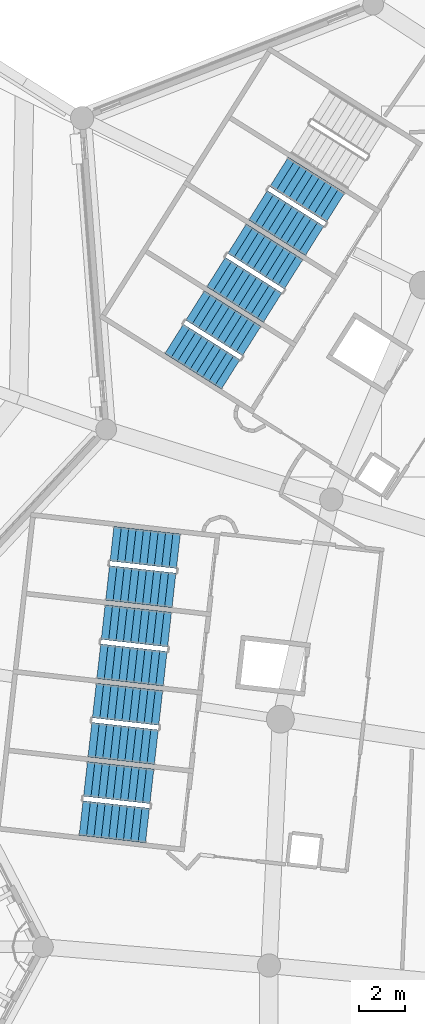
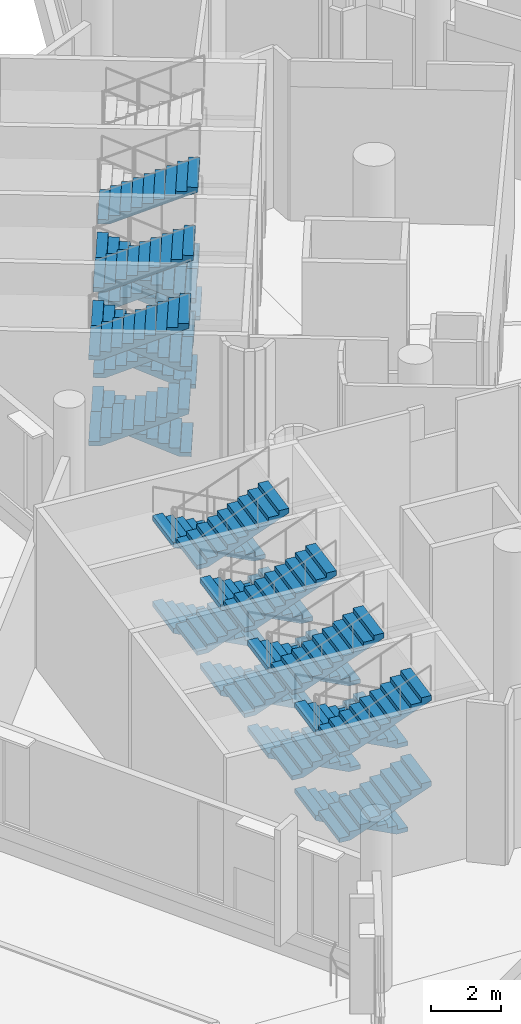
# One storey, part 93 of 173: 27 stair flights, 7 elements without a shape of their own.
"""IFC4 building model written with IfcOpenShell, lengths in metres."""

from ifc_helpers import new_model, si_unit, direction, frame, origin, place, context, subcontext, project, spatial, polyline, outline, extrude, material, type_object, element, aggregate, save


model = new_model("IFC4")

# Units and contexts
model_context = context("Model", 3, precision=1e-05, world=origin(), true_north=direction((0.0, 1.0)))
body_context = subcontext(model_context, "Body", "Model", "MODEL_VIEW")
ifc_project = project(units=[si_unit("LENGTHUNIT", "METRE"), si_unit("AREAUNIT", "SQUARE_METRE"), si_unit("VOLUMEUNIT", "CUBIC_METRE"), si_unit("PLANEANGLEUNIT", "RADIAN"), si_unit("MASSUNIT", "GRAM", prefix="KILO")], contexts=[model_context])

# Site, building, storey
site_placement = place(None, origin())
site = spatial("IfcSite", under=ifc_project, at=site_placement, CompositionType="ELEMENT")
building_placement = place(site_placement, origin())
building = spatial("IfcBuilding", under=site, at=building_placement, Name="Meseta Stadium", CompositionType="ELEMENT")
storey_placement = place(building_placement, frame((0.0, 0.0, 18.0)))
storey = spatial("IfcBuildingStorey", under=building, at=storey_placement, Name="L03", CompositionType="ELEMENT", Elevation=18.0)

# Stair, stair flights
ifc_material_1 = material(Name="Concrete C40/50", Category="concrete")
stair_type = type_object("IfcStairType", Name="Exit stair 4 flights 150 mm risers", PredefinedType="HALF_TURN_STAIR", material=ifc_material_1)
stair_1_placement = place(storey_placement, origin())
stair_1 = element("IfcStair", 1, at=stair_1_placement, inside=storey, type_object=stair_type, Name="ST54 L03", PredefinedType="HALF_TURN_STAIR")
ifc_material_2 = material(Name="Concrete C40/50", Category="concrete")
stair_flight_type = type_object("IfcStairFlightType", Name="Exit stair flight 150 mm risers, 4 per storey", PredefinedType="STRAIGHT", material=ifc_material_2)
stair_flight_1_placement = place(storey_placement, frame((-81.98388671875, 75.621826171875, 0.0), z_axis=(0.0, 0.0, 1.0), x_axis=(-0.846724200555, 0.532032074404, 0.0)))
stair_flight_1 = element("IfcStairFlight", 2, at=stair_flight_1_placement, type_object=stair_flight_type, Name="ST54 L03 flight 1", NumberOfRisers=10, NumberOfTreads=9, PredefinedType="STRAIGHT", RiserHeight=0.15, TreadLength=0.32, context=body_context, shape_type="SweptSolid", body=[
    extrude(outline(polyline([(0.0, 0.0), (0.0, 0.14990234375), (0.320068359375, 0.14990234375), (0.320068359375, 0.300048828125), (0.639892578125, 0.300048828125), (0.639892578125, 0.449951171875), (0.9599609375, 0.449951171875), (0.9599609375, 0.60009765625), (1.280029296875, 0.60009765625), (1.280029296875, 0.75), (1.60009765625, 0.75), (1.60009765625, 0.89990234375), (1.919921875, 0.89990234375), (1.919921875, 1.050048828125), (2.239990234375, 1.050048828125), (2.239990234375, 1.199951171875), (2.56005859375, 1.199951171875), (2.56005859375, 1.35009765625), (2.8798828125, 1.35009765625), (2.8798828125, 1.184326171875), (0.353271484375, 0.0), (0.0, 0.0)])), frame((0.0, 0.75, 0.0), z_axis=(0.0, -1.0, 0.0), x_axis=(1.0, 0.0, 0.0)), (0.0, 0.0, 1.0), 1.5),
])
stair_flight_2_placement = place(storey_placement, frame((-85.326904296875, 75.714599609375, 1.5), z_axis=(0.0, 0.0, 1.0), x_axis=(0.846724200555, -0.532032074404, 0.0)))
stair_flight_2 = element("IfcStairFlight", 3, at=stair_flight_2_placement, type_object=stair_flight_type, Name="ST54 L03 flight 2", NumberOfRisers=10, NumberOfTreads=9, PredefinedType="STRAIGHT", RiserHeight=0.15, TreadLength=0.32, context=body_context, shape_type="SweptSolid", body=[
    extrude(outline(polyline([(0.0, 0.0), (0.0, 0.14990234375), (0.320068359375, 0.14990234375), (0.320068359375, 0.300048828125), (0.639892578125, 0.300048828125), (0.639892578125, 0.449951171875), (0.9599609375, 0.449951171875), (0.9599609375, 0.60009765625), (1.280029296875, 0.60009765625), (1.280029296875, 0.75), (1.60009765625, 0.75), (1.60009765625, 0.89990234375), (1.919921875, 0.89990234375), (1.919921875, 1.050048828125), (2.239990234375, 1.050048828125), (2.239990234375, 1.199951171875), (2.56005859375, 1.199951171875), (2.56005859375, 1.35009765625), (2.8798828125, 1.35009765625), (2.8798828125, 1.184326171875), (0.353271484375, 0.0), (0.0, 0.0)])), frame((0.0, 0.75, 0.0), z_axis=(0.0, -1.0, 0.0), x_axis=(1.0, 0.0, 0.0)), (0.0, 0.0, 1.0), 1.5),
])
stair_flight_3_placement = place(storey_placement, frame((-85.326904296875, 75.714599609375, 4.5), z_axis=(0.0, 0.0, 1.0), x_axis=(0.846724200555, -0.532032074404, 0.0)))
stair_flight_3 = element("IfcStairFlight", 4, at=stair_flight_3_placement, type_object=stair_flight_type, Name="ST54 L03 flight 4", NumberOfRisers=10, NumberOfTreads=9, PredefinedType="STRAIGHT", RiserHeight=0.15, TreadLength=0.32, context=body_context, shape_type="SweptSolid", body=[
    extrude(outline(polyline([(0.0, 0.0), (0.0, 0.14990234375), (0.320068359375, 0.14990234375), (0.320068359375, 0.300048828125), (0.639892578125, 0.300048828125), (0.639892578125, 0.449951171875), (0.9599609375, 0.449951171875), (0.9599609375, 0.60009765625), (1.280029296875, 0.60009765625), (1.280029296875, 0.75), (1.60009765625, 0.75), (1.60009765625, 0.89990234375), (1.919921875, 0.89990234375), (1.919921875, 1.050048828125), (2.239990234375, 1.050048828125), (2.239990234375, 1.199951171875), (2.56005859375, 1.199951171875), (2.56005859375, 1.35009765625), (2.8798828125, 1.35009765625), (2.8798828125, 1.184326171875), (0.353271484375, 0.0), (0.0, 0.0)])), frame((0.0, 0.75, 0.0), z_axis=(0.0, -1.0, 0.0), x_axis=(1.0, 0.0, 0.0)), (0.0, 0.0, 1.0), 1.5),
])
aggregate(stair_1, [stair_flight_1, stair_flight_2, stair_flight_3])

stair_2_placement = place(storey_placement, origin())
stair_2 = element("IfcStair", 5, at=stair_2_placement, inside=storey, type_object=stair_type, Name="ST55 L03", PredefinedType="HALF_TURN_STAIR")
stair_flight_4_placement = place(storey_placement, frame((-83.792724609375, 72.742919921875, 0.0), z_axis=(0.0, 0.0, 1.0), x_axis=(-0.846724200555, 0.532032074404, 0.0)))
stair_flight_4 = element("IfcStairFlight", 6, at=stair_flight_4_placement, type_object=stair_flight_type, Name="ST55 L03 flight 1", NumberOfRisers=10, NumberOfTreads=9, PredefinedType="STRAIGHT", RiserHeight=0.15, TreadLength=0.32, context=body_context, shape_type="SweptSolid", body=[
    extrude(outline(polyline([(0.0, 0.0), (0.0, 0.14990234375), (0.320068359375, 0.14990234375), (0.320068359375, 0.300048828125), (0.639892578125, 0.300048828125), (0.639892578125, 0.449951171875), (0.9599609375, 0.449951171875), (0.9599609375, 0.60009765625), (1.280029296875, 0.60009765625), (1.280029296875, 0.75), (1.60009765625, 0.75), (1.60009765625, 0.89990234375), (1.919921875, 0.89990234375), (1.919921875, 1.050048828125), (2.239990234375, 1.050048828125), (2.239990234375, 1.199951171875), (2.56005859375, 1.199951171875), (2.56005859375, 1.35009765625), (2.8798828125, 1.35009765625), (2.8798828125, 1.184326171875), (0.353271484375, 0.0), (0.0, 0.0)])), frame((0.0, 0.75, 0.0), z_axis=(0.0, -1.0, 0.0), x_axis=(1.0, 0.0, 0.0)), (0.0, 0.0, 1.0), 1.5),
])
stair_flight_5_placement = place(storey_placement, frame((-87.1357421875, 72.835693359375, 1.5), z_axis=(0.0, 0.0, 1.0), x_axis=(0.846724200555, -0.532032074404, 0.0)))
stair_flight_5 = element("IfcStairFlight", 7, at=stair_flight_5_placement, type_object=stair_flight_type, Name="ST55 L03 flight 2", NumberOfRisers=10, NumberOfTreads=9, PredefinedType="STRAIGHT", RiserHeight=0.15, TreadLength=0.32, context=body_context, shape_type="SweptSolid", body=[
    extrude(outline(polyline([(0.0, 0.0), (0.0, 0.14990234375), (0.320068359375, 0.14990234375), (0.320068359375, 0.300048828125), (0.639892578125, 0.300048828125), (0.639892578125, 0.449951171875), (0.9599609375, 0.449951171875), (0.9599609375, 0.60009765625), (1.280029296875, 0.60009765625), (1.280029296875, 0.75), (1.60009765625, 0.75), (1.60009765625, 0.89990234375), (1.919921875, 0.89990234375), (1.919921875, 1.050048828125), (2.239990234375, 1.050048828125), (2.239990234375, 1.199951171875), (2.56005859375, 1.199951171875), (2.56005859375, 1.35009765625), (2.8798828125, 1.35009765625), (2.8798828125, 1.184326171875), (0.353271484375, 0.0), (0.0, 0.0)])), frame((0.0, 0.75, 0.0), z_axis=(0.0, -1.0, 0.0), x_axis=(1.0, 0.0, 0.0)), (0.0, 0.0, 1.0), 1.5),
])
stair_flight_6_placement = place(storey_placement, frame((-83.792724609375, 72.742919921875, 3.0), z_axis=(0.0, 0.0, 1.0), x_axis=(-0.846724200555, 0.532032074404, 0.0)))
stair_flight_6 = element("IfcStairFlight", 8, at=stair_flight_6_placement, type_object=stair_flight_type, Name="ST55 L03 flight 3", NumberOfRisers=10, NumberOfTreads=9, PredefinedType="STRAIGHT", RiserHeight=0.15, TreadLength=0.32, context=body_context, shape_type="SweptSolid", body=[
    extrude(outline(polyline([(0.0, 0.0), (0.0, 0.14990234375), (0.320068359375, 0.14990234375), (0.320068359375, 0.300048828125), (0.639892578125, 0.300048828125), (0.639892578125, 0.449951171875), (0.9599609375, 0.449951171875), (0.9599609375, 0.60009765625), (1.280029296875, 0.60009765625), (1.280029296875, 0.75), (1.60009765625, 0.75), (1.60009765625, 0.89990234375), (1.919921875, 0.89990234375), (1.919921875, 1.050048828125), (2.239990234375, 1.050048828125), (2.239990234375, 1.199951171875), (2.56005859375, 1.199951171875), (2.56005859375, 1.35009765625), (2.8798828125, 1.35009765625), (2.8798828125, 1.184326171875), (0.353271484375, 0.0), (0.0, 0.0)])), frame((0.0, 0.75, 0.0), z_axis=(0.0, -1.0, 0.0), x_axis=(1.0, 0.0, 0.0)), (0.0, 0.0, 1.0), 1.5),
])
stair_flight_7_placement = place(storey_placement, frame((-87.1357421875, 72.835693359375, 4.5), z_axis=(0.0, 0.0, 1.0), x_axis=(0.846724200555, -0.532032074404, 0.0)))
stair_flight_7 = element("IfcStairFlight", 9, at=stair_flight_7_placement, type_object=stair_flight_type, Name="ST55 L03 flight 4", NumberOfRisers=10, NumberOfTreads=9, PredefinedType="STRAIGHT", RiserHeight=0.15, TreadLength=0.32, context=body_context, shape_type="SweptSolid", body=[
    extrude(outline(polyline([(0.0, 0.0), (0.0, 0.14990234375), (0.320068359375, 0.14990234375), (0.320068359375, 0.300048828125), (0.639892578125, 0.300048828125), (0.639892578125, 0.449951171875), (0.9599609375, 0.449951171875), (0.9599609375, 0.60009765625), (1.280029296875, 0.60009765625), (1.280029296875, 0.75), (1.60009765625, 0.75), (1.60009765625, 0.89990234375), (1.919921875, 0.89990234375), (1.919921875, 1.050048828125), (2.239990234375, 1.050048828125), (2.239990234375, 1.199951171875), (2.56005859375, 1.199951171875), (2.56005859375, 1.35009765625), (2.8798828125, 1.35009765625), (2.8798828125, 1.184326171875), (0.353271484375, 0.0), (0.0, 0.0)])), frame((0.0, 0.75, 0.0), z_axis=(0.0, -1.0, 0.0), x_axis=(1.0, 0.0, 0.0)), (0.0, 0.0, 1.0), 1.5),
])
aggregate(stair_2, [stair_flight_4, stair_flight_5, stair_flight_6, stair_flight_7])

stair_3_placement = place(storey_placement, origin())
stair_3 = element("IfcStair", 10, at=stair_3_placement, inside=storey, type_object=stair_type, Name="ST56 L03", PredefinedType="HALF_TURN_STAIR")
stair_flight_8_placement = place(storey_placement, frame((-85.6015625, 69.864013671875, 0.0), z_axis=(0.0, 0.0, 1.0), x_axis=(-0.846724200555, 0.532032074404, 0.0)))
stair_flight_8 = element("IfcStairFlight", 11, at=stair_flight_8_placement, type_object=stair_flight_type, Name="ST56 L03 flight 1", NumberOfRisers=10, NumberOfTreads=9, PredefinedType="STRAIGHT", RiserHeight=0.15, TreadLength=0.32, context=body_context, shape_type="SweptSolid", body=[
    extrude(outline(polyline([(0.0, 0.0), (0.0, 0.14990234375), (0.320068359375, 0.14990234375), (0.320068359375, 0.300048828125), (0.639892578125, 0.300048828125), (0.639892578125, 0.449951171875), (0.9599609375, 0.449951171875), (0.9599609375, 0.60009765625), (1.280029296875, 0.60009765625), (1.280029296875, 0.75), (1.60009765625, 0.75), (1.60009765625, 0.89990234375), (1.919921875, 0.89990234375), (1.919921875, 1.050048828125), (2.239990234375, 1.050048828125), (2.239990234375, 1.199951171875), (2.56005859375, 1.199951171875), (2.56005859375, 1.35009765625), (2.8798828125, 1.35009765625), (2.8798828125, 1.184326171875), (0.353271484375, 0.0), (0.0, 0.0)])), frame((0.0, 0.75, 0.0), z_axis=(0.0, -1.0, 0.0), x_axis=(1.0, 0.0, 0.0)), (0.0, 0.0, 1.0), 1.5),
])
stair_flight_9_placement = place(storey_placement, frame((-88.944580078125, 69.956787109375, 1.5), z_axis=(0.0, 0.0, 1.0), x_axis=(0.846724200555, -0.532032074404, 0.0)))
stair_flight_9 = element("IfcStairFlight", 12, at=stair_flight_9_placement, type_object=stair_flight_type, Name="ST56 L03 flight 2", NumberOfRisers=10, NumberOfTreads=9, PredefinedType="STRAIGHT", RiserHeight=0.15, TreadLength=0.32, context=body_context, shape_type="SweptSolid", body=[
    extrude(outline(polyline([(0.0, 0.0), (0.0, 0.14990234375), (0.320068359375, 0.14990234375), (0.320068359375, 0.300048828125), (0.639892578125, 0.300048828125), (0.639892578125, 0.449951171875), (0.9599609375, 0.449951171875), (0.9599609375, 0.60009765625), (1.280029296875, 0.60009765625), (1.280029296875, 0.75), (1.60009765625, 0.75), (1.60009765625, 0.89990234375), (1.919921875, 0.89990234375), (1.919921875, 1.050048828125), (2.239990234375, 1.050048828125), (2.239990234375, 1.199951171875), (2.56005859375, 1.199951171875), (2.56005859375, 1.35009765625), (2.8798828125, 1.35009765625), (2.8798828125, 1.184326171875), (0.353271484375, 0.0), (0.0, 0.0)])), frame((0.0, 0.75, 0.0), z_axis=(0.0, -1.0, 0.0), x_axis=(1.0, 0.0, 0.0)), (0.0, 0.0, 1.0), 1.5),
])
stair_flight_10_placement = place(storey_placement, frame((-85.6015625, 69.864013671875, 3.0), z_axis=(0.0, 0.0, 1.0), x_axis=(-0.846724200555, 0.532032074404, 0.0)))
stair_flight_10 = element("IfcStairFlight", 13, at=stair_flight_10_placement, type_object=stair_flight_type, Name="ST56 L03 flight 3", NumberOfRisers=10, NumberOfTreads=9, PredefinedType="STRAIGHT", RiserHeight=0.15, TreadLength=0.32, context=body_context, shape_type="SweptSolid", body=[
    extrude(outline(polyline([(0.0, 0.0), (0.0, 0.14990234375), (0.320068359375, 0.14990234375), (0.320068359375, 0.300048828125), (0.639892578125, 0.300048828125), (0.639892578125, 0.449951171875), (0.9599609375, 0.449951171875), (0.9599609375, 0.60009765625), (1.280029296875, 0.60009765625), (1.280029296875, 0.75), (1.60009765625, 0.75), (1.60009765625, 0.89990234375), (1.919921875, 0.89990234375), (1.919921875, 1.050048828125), (2.239990234375, 1.050048828125), (2.239990234375, 1.199951171875), (2.56005859375, 1.199951171875), (2.56005859375, 1.35009765625), (2.8798828125, 1.35009765625), (2.8798828125, 1.184326171875), (0.353271484375, 0.0), (0.0, 0.0)])), frame((0.0, 0.75, 0.0), z_axis=(0.0, -1.0, 0.0), x_axis=(1.0, 0.0, 0.0)), (0.0, 0.0, 1.0), 1.5),
])
stair_flight_11_placement = place(storey_placement, frame((-88.944580078125, 69.956787109375, 4.5), z_axis=(0.0, 0.0, 1.0), x_axis=(0.846724200555, -0.532032074404, 0.0)))
stair_flight_11 = element("IfcStairFlight", 14, at=stair_flight_11_placement, type_object=stair_flight_type, Name="ST56 L03 flight 4", NumberOfRisers=10, NumberOfTreads=9, PredefinedType="STRAIGHT", RiserHeight=0.15, TreadLength=0.32, context=body_context, shape_type="SweptSolid", body=[
    extrude(outline(polyline([(0.0, 0.0), (0.0, 0.14990234375), (0.320068359375, 0.14990234375), (0.320068359375, 0.300048828125), (0.639892578125, 0.300048828125), (0.639892578125, 0.449951171875), (0.9599609375, 0.449951171875), (0.9599609375, 0.60009765625), (1.280029296875, 0.60009765625), (1.280029296875, 0.75), (1.60009765625, 0.75), (1.60009765625, 0.89990234375), (1.919921875, 0.89990234375), (1.919921875, 1.050048828125), (2.239990234375, 1.050048828125), (2.239990234375, 1.199951171875), (2.56005859375, 1.199951171875), (2.56005859375, 1.35009765625), (2.8798828125, 1.35009765625), (2.8798828125, 1.184326171875), (0.353271484375, 0.0), (0.0, 0.0)])), frame((0.0, 0.75, 0.0), z_axis=(0.0, -1.0, 0.0), x_axis=(1.0, 0.0, 0.0)), (0.0, 0.0, 1.0), 1.5),
])
aggregate(stair_3, [stair_flight_8, stair_flight_9, stair_flight_10, stair_flight_11])

stair_4_placement = place(storey_placement, origin())
stair_4 = element("IfcStair", 15, at=stair_4_placement, inside=storey, type_object=stair_type, Name="ST57 L03", PredefinedType="HALF_TURN_STAIR")
stair_flight_12_placement = place(storey_placement, frame((-88.759033203125, 60.805419921875, 0.0), z_axis=(0.0, 0.0, 1.0), x_axis=(-0.993712210731, 0.11196446867, 0.0)))
stair_flight_12 = element("IfcStairFlight", 16, at=stair_flight_12_placement, type_object=stair_flight_type, Name="ST57 L03 flight 1", NumberOfRisers=10, NumberOfTreads=9, PredefinedType="STRAIGHT", RiserHeight=0.15, TreadLength=0.32, context=body_context, shape_type="SweptSolid", body=[
    extrude(outline(polyline([(0.0, 0.0), (0.0, 0.14990234375), (0.320068359375, 0.14990234375), (0.320068359375, 0.300048828125), (0.639892578125, 0.300048828125), (0.639892578125, 0.449951171875), (0.9599609375, 0.449951171875), (0.9599609375, 0.60009765625), (1.280029296875, 0.60009765625), (1.280029296875, 0.75), (1.60009765625, 0.75), (1.60009765625, 0.89990234375), (1.919921875, 0.89990234375), (1.919921875, 1.050048828125), (2.239990234375, 1.050048828125), (2.239990234375, 1.199951171875), (2.56005859375, 1.199951171875), (2.56005859375, 1.35009765625), (2.8798828125, 1.35009765625), (2.8798828125, 1.184326171875), (0.353271484375, 0.0), (0.0, 0.0)])), frame((0.0, 0.75, 0.0), z_axis=(0.0, -1.0, 0.0), x_axis=(1.0, 0.0, 0.0)), (0.0, 0.0, 1.0), 1.5),
])
stair_flight_13_placement = place(storey_placement, frame((-91.811279296875, 59.4384765625, 1.5), z_axis=(0.0, 0.0, 1.0), x_axis=(0.993712210731, -0.11196446867, 0.0)))
stair_flight_13 = element("IfcStairFlight", 17, at=stair_flight_13_placement, type_object=stair_flight_type, Name="ST57 L03 flight 2", NumberOfRisers=10, NumberOfTreads=9, PredefinedType="STRAIGHT", RiserHeight=0.15, TreadLength=0.32, context=body_context, shape_type="SweptSolid", body=[
    extrude(outline(polyline([(0.0, 0.0), (0.0, 0.14990234375), (0.320068359375, 0.14990234375), (0.320068359375, 0.300048828125), (0.639892578125, 0.300048828125), (0.639892578125, 0.449951171875), (0.9599609375, 0.449951171875), (0.9599609375, 0.60009765625), (1.280029296875, 0.60009765625), (1.280029296875, 0.75), (1.60009765625, 0.75), (1.60009765625, 0.89990234375), (1.919921875, 0.89990234375), (1.919921875, 1.050048828125), (2.239990234375, 1.050048828125), (2.239990234375, 1.199951171875), (2.56005859375, 1.199951171875), (2.56005859375, 1.35009765625), (2.8798828125, 1.35009765625), (2.8798828125, 1.184326171875), (0.353271484375, 0.0), (0.0, 0.0)])), frame((0.0, 0.75, 0.0), z_axis=(0.0, -1.0, 0.0), x_axis=(1.0, 0.0, 0.0)), (0.0, 0.0, 1.0), 1.5),
])
stair_flight_14_placement = place(storey_placement, frame((-88.759033203125, 60.805419921875, 3.0), z_axis=(0.0, 0.0, 1.0), x_axis=(-0.993712210731, 0.11196446867, 0.0)))
stair_flight_14 = element("IfcStairFlight", 18, at=stair_flight_14_placement, type_object=stair_flight_type, Name="ST57 L03 flight 3", NumberOfRisers=10, NumberOfTreads=9, PredefinedType="STRAIGHT", RiserHeight=0.15, TreadLength=0.32, context=body_context, shape_type="SweptSolid", body=[
    extrude(outline(polyline([(0.0, 0.0), (0.0, 0.14990234375), (0.320068359375, 0.14990234375), (0.320068359375, 0.300048828125), (0.639892578125, 0.300048828125), (0.639892578125, 0.449951171875), (0.9599609375, 0.449951171875), (0.9599609375, 0.60009765625), (1.280029296875, 0.60009765625), (1.280029296875, 0.75), (1.60009765625, 0.75), (1.60009765625, 0.89990234375), (1.919921875, 0.89990234375), (1.919921875, 1.050048828125), (2.239990234375, 1.050048828125), (2.239990234375, 1.199951171875), (2.56005859375, 1.199951171875), (2.56005859375, 1.35009765625), (2.8798828125, 1.35009765625), (2.8798828125, 1.184326171875), (0.353271484375, 0.0), (0.0, 0.0)])), frame((0.0, 0.75, 0.0), z_axis=(0.0, -1.0, 0.0), x_axis=(1.0, 0.0, 0.0)), (0.0, 0.0, 1.0), 1.5),
])
stair_flight_15_placement = place(storey_placement, frame((-91.811279296875, 59.4384765625, 4.5), z_axis=(0.0, 0.0, 1.0), x_axis=(0.993712210731, -0.11196446867, 0.0)))
stair_flight_15 = element("IfcStairFlight", 19, at=stair_flight_15_placement, type_object=stair_flight_type, Name="ST57 L03 flight 4", NumberOfRisers=10, NumberOfTreads=9, PredefinedType="STRAIGHT", RiserHeight=0.15, TreadLength=0.32, context=body_context, shape_type="SweptSolid", body=[
    extrude(outline(polyline([(0.0, 0.0), (0.0, 0.14990234375), (0.320068359375, 0.14990234375), (0.320068359375, 0.300048828125), (0.639892578125, 0.300048828125), (0.639892578125, 0.449951171875), (0.9599609375, 0.449951171875), (0.9599609375, 0.60009765625), (1.280029296875, 0.60009765625), (1.280029296875, 0.75), (1.60009765625, 0.75), (1.60009765625, 0.89990234375), (1.919921875, 0.89990234375), (1.919921875, 1.050048828125), (2.239990234375, 1.050048828125), (2.239990234375, 1.199951171875), (2.56005859375, 1.199951171875), (2.56005859375, 1.35009765625), (2.8798828125, 1.35009765625), (2.8798828125, 1.184326171875), (0.353271484375, 0.0), (0.0, 0.0)])), frame((0.0, 0.75, 0.0), z_axis=(0.0, -1.0, 0.0), x_axis=(1.0, 0.0, 0.0)), (0.0, 0.0, 1.0), 1.5),
])
aggregate(stair_4, [stair_flight_12, stair_flight_13, stair_flight_14, stair_flight_15])

stair_5_placement = place(storey_placement, origin())
stair_5 = element("IfcStair", 20, at=stair_5_placement, inside=storey, type_object=stair_type, Name="ST58 L03", PredefinedType="HALF_TURN_STAIR")
stair_flight_16_placement = place(storey_placement, frame((-89.1396484375, 57.4267578125, 0.0), z_axis=(0.0, 0.0, 1.0), x_axis=(-0.993712210731, 0.11196446867, 0.0)))
stair_flight_16 = element("IfcStairFlight", 21, at=stair_flight_16_placement, type_object=stair_flight_type, Name="ST58 L03 flight 1", NumberOfRisers=10, NumberOfTreads=9, PredefinedType="STRAIGHT", RiserHeight=0.15, TreadLength=0.32, context=body_context, shape_type="SweptSolid", body=[
    extrude(outline(polyline([(0.0, 0.0), (0.0, 0.14990234375), (0.320068359375, 0.14990234375), (0.320068359375, 0.300048828125), (0.639892578125, 0.300048828125), (0.639892578125, 0.449951171875), (0.9599609375, 0.449951171875), (0.9599609375, 0.60009765625), (1.280029296875, 0.60009765625), (1.280029296875, 0.75), (1.60009765625, 0.75), (1.60009765625, 0.89990234375), (1.919921875, 0.89990234375), (1.919921875, 1.050048828125), (2.239990234375, 1.050048828125), (2.239990234375, 1.199951171875), (2.56005859375, 1.199951171875), (2.56005859375, 1.35009765625), (2.8798828125, 1.35009765625), (2.8798828125, 1.184326171875), (0.353271484375, 0.0), (0.0, 0.0)])), frame((0.0, 0.75, 0.0), z_axis=(0.0, -1.0, 0.0), x_axis=(1.0, 0.0, 0.0)), (0.0, 0.0, 1.0), 1.5),
])
stair_flight_17_placement = place(storey_placement, frame((-92.19189453125, 56.06005859375, 1.5), z_axis=(0.0, 0.0, 1.0), x_axis=(0.993712210731, -0.11196446867, 0.0)))
stair_flight_17 = element("IfcStairFlight", 22, at=stair_flight_17_placement, type_object=stair_flight_type, Name="ST58 L03 flight 2", NumberOfRisers=10, NumberOfTreads=9, PredefinedType="STRAIGHT", RiserHeight=0.15, TreadLength=0.32, context=body_context, shape_type="SweptSolid", body=[
    extrude(outline(polyline([(0.0, 0.0), (0.0, 0.14990234375), (0.320068359375, 0.14990234375), (0.320068359375, 0.300048828125), (0.639892578125, 0.300048828125), (0.639892578125, 0.449951171875), (0.9599609375, 0.449951171875), (0.9599609375, 0.60009765625), (1.280029296875, 0.60009765625), (1.280029296875, 0.75), (1.60009765625, 0.75), (1.60009765625, 0.89990234375), (1.919921875, 0.89990234375), (1.919921875, 1.050048828125), (2.239990234375, 1.050048828125), (2.239990234375, 1.199951171875), (2.56005859375, 1.199951171875), (2.56005859375, 1.35009765625), (2.8798828125, 1.35009765625), (2.8798828125, 1.184326171875), (0.353271484375, 0.0), (0.0, 0.0)])), frame((0.0, 0.75, 0.0), z_axis=(0.0, -1.0, 0.0), x_axis=(1.0, 0.0, 0.0)), (0.0, 0.0, 1.0), 1.5),
])
stair_flight_18_placement = place(storey_placement, frame((-89.1396484375, 57.4267578125, 3.0), z_axis=(0.0, 0.0, 1.0), x_axis=(-0.993712210731, 0.11196446867, 0.0)))
stair_flight_18 = element("IfcStairFlight", 23, at=stair_flight_18_placement, type_object=stair_flight_type, Name="ST58 L03 flight 3", NumberOfRisers=10, NumberOfTreads=9, PredefinedType="STRAIGHT", RiserHeight=0.15, TreadLength=0.32, context=body_context, shape_type="SweptSolid", body=[
    extrude(outline(polyline([(0.0, 0.0), (0.0, 0.14990234375), (0.320068359375, 0.14990234375), (0.320068359375, 0.300048828125), (0.639892578125, 0.300048828125), (0.639892578125, 0.449951171875), (0.9599609375, 0.449951171875), (0.9599609375, 0.60009765625), (1.280029296875, 0.60009765625), (1.280029296875, 0.75), (1.60009765625, 0.75), (1.60009765625, 0.89990234375), (1.919921875, 0.89990234375), (1.919921875, 1.050048828125), (2.239990234375, 1.050048828125), (2.239990234375, 1.199951171875), (2.56005859375, 1.199951171875), (2.56005859375, 1.35009765625), (2.8798828125, 1.35009765625), (2.8798828125, 1.184326171875), (0.353271484375, 0.0), (0.0, 0.0)])), frame((0.0, 0.75, 0.0), z_axis=(0.0, -1.0, 0.0), x_axis=(1.0, 0.0, 0.0)), (0.0, 0.0, 1.0), 1.5),
])
stair_flight_19_placement = place(storey_placement, frame((-92.19189453125, 56.06005859375, 4.5), z_axis=(0.0, 0.0, 1.0), x_axis=(0.993712210731, -0.11196446867, 0.0)))
stair_flight_19 = element("IfcStairFlight", 24, at=stair_flight_19_placement, type_object=stair_flight_type, Name="ST58 L03 flight 4", NumberOfRisers=10, NumberOfTreads=9, PredefinedType="STRAIGHT", RiserHeight=0.15, TreadLength=0.32, context=body_context, shape_type="SweptSolid", body=[
    extrude(outline(polyline([(0.0, 0.0), (0.0, 0.14990234375), (0.320068359375, 0.14990234375), (0.320068359375, 0.300048828125), (0.639892578125, 0.300048828125), (0.639892578125, 0.449951171875), (0.9599609375, 0.449951171875), (0.9599609375, 0.60009765625), (1.280029296875, 0.60009765625), (1.280029296875, 0.75), (1.60009765625, 0.75), (1.60009765625, 0.89990234375), (1.919921875, 0.89990234375), (1.919921875, 1.050048828125), (2.239990234375, 1.050048828125), (2.239990234375, 1.199951171875), (2.56005859375, 1.199951171875), (2.56005859375, 1.35009765625), (2.8798828125, 1.35009765625), (2.8798828125, 1.184326171875), (0.353271484375, 0.0), (0.0, 0.0)])), frame((0.0, 0.75, 0.0), z_axis=(0.0, -1.0, 0.0), x_axis=(1.0, 0.0, 0.0)), (0.0, 0.0, 1.0), 1.5),
])
aggregate(stair_5, [stair_flight_16, stair_flight_17, stair_flight_18, stair_flight_19])

stair_6_placement = place(storey_placement, origin())
stair_6 = element("IfcStair", 25, at=stair_6_placement, inside=storey, type_object=stair_type, Name="ST59 L03", PredefinedType="HALF_TURN_STAIR")
stair_flight_20_placement = place(storey_placement, frame((-89.5205078125, 54.048095703125, 0.0), z_axis=(0.0, 0.0, 1.0), x_axis=(-0.993712210731, 0.11196446867, 0.0)))
stair_flight_20 = element("IfcStairFlight", 26, at=stair_flight_20_placement, type_object=stair_flight_type, Name="ST59 L03 flight 1", NumberOfRisers=10, NumberOfTreads=9, PredefinedType="STRAIGHT", RiserHeight=0.15, TreadLength=0.32, context=body_context, shape_type="SweptSolid", body=[
    extrude(outline(polyline([(0.0, 0.0), (0.0, 0.14990234375), (0.320068359375, 0.14990234375), (0.320068359375, 0.300048828125), (0.639892578125, 0.300048828125), (0.639892578125, 0.449951171875), (0.9599609375, 0.449951171875), (0.9599609375, 0.60009765625), (1.280029296875, 0.60009765625), (1.280029296875, 0.75), (1.60009765625, 0.75), (1.60009765625, 0.89990234375), (1.919921875, 0.89990234375), (1.919921875, 1.050048828125), (2.239990234375, 1.050048828125), (2.239990234375, 1.199951171875), (2.56005859375, 1.199951171875), (2.56005859375, 1.35009765625), (2.8798828125, 1.35009765625), (2.8798828125, 1.184326171875), (0.353271484375, 0.0), (0.0, 0.0)])), frame((0.0, 0.75, 0.0), z_axis=(0.0, -1.0, 0.0), x_axis=(1.0, 0.0, 0.0)), (0.0, 0.0, 1.0), 1.5),
])
stair_flight_21_placement = place(storey_placement, frame((-92.572509765625, 52.681396484375, 1.5), z_axis=(0.0, 0.0, 1.0), x_axis=(0.993712210731, -0.11196446867, 0.0)))
stair_flight_21 = element("IfcStairFlight", 27, at=stair_flight_21_placement, type_object=stair_flight_type, Name="ST59 L03 flight 2", NumberOfRisers=10, NumberOfTreads=9, PredefinedType="STRAIGHT", RiserHeight=0.15, TreadLength=0.32, context=body_context, shape_type="SweptSolid", body=[
    extrude(outline(polyline([(0.0, 0.0), (0.0, 0.14990234375), (0.320068359375, 0.14990234375), (0.320068359375, 0.300048828125), (0.639892578125, 0.300048828125), (0.639892578125, 0.449951171875), (0.9599609375, 0.449951171875), (0.9599609375, 0.60009765625), (1.280029296875, 0.60009765625), (1.280029296875, 0.75), (1.60009765625, 0.75), (1.60009765625, 0.89990234375), (1.919921875, 0.89990234375), (1.919921875, 1.050048828125), (2.239990234375, 1.050048828125), (2.239990234375, 1.199951171875), (2.56005859375, 1.199951171875), (2.56005859375, 1.35009765625), (2.8798828125, 1.35009765625), (2.8798828125, 1.184326171875), (0.353271484375, 0.0), (0.0, 0.0)])), frame((0.0, 0.75, 0.0), z_axis=(0.0, -1.0, 0.0), x_axis=(1.0, 0.0, 0.0)), (0.0, 0.0, 1.0), 1.5),
])
stair_flight_22_placement = place(storey_placement, frame((-89.5205078125, 54.048095703125, 3.0), z_axis=(0.0, 0.0, 1.0), x_axis=(-0.993712210731, 0.11196446867, 0.0)))
stair_flight_22 = element("IfcStairFlight", 28, at=stair_flight_22_placement, type_object=stair_flight_type, Name="ST59 L03 flight 3", NumberOfRisers=10, NumberOfTreads=9, PredefinedType="STRAIGHT", RiserHeight=0.15, TreadLength=0.32, context=body_context, shape_type="SweptSolid", body=[
    extrude(outline(polyline([(0.0, 0.0), (0.0, 0.14990234375), (0.320068359375, 0.14990234375), (0.320068359375, 0.300048828125), (0.639892578125, 0.300048828125), (0.639892578125, 0.449951171875), (0.9599609375, 0.449951171875), (0.9599609375, 0.60009765625), (1.280029296875, 0.60009765625), (1.280029296875, 0.75), (1.60009765625, 0.75), (1.60009765625, 0.89990234375), (1.919921875, 0.89990234375), (1.919921875, 1.050048828125), (2.239990234375, 1.050048828125), (2.239990234375, 1.199951171875), (2.56005859375, 1.199951171875), (2.56005859375, 1.35009765625), (2.8798828125, 1.35009765625), (2.8798828125, 1.184326171875), (0.353271484375, 0.0), (0.0, 0.0)])), frame((0.0, 0.75, 0.0), z_axis=(0.0, -1.0, 0.0), x_axis=(1.0, 0.0, 0.0)), (0.0, 0.0, 1.0), 1.5),
])
stair_flight_23_placement = place(storey_placement, frame((-92.572509765625, 52.681396484375, 4.5), z_axis=(0.0, 0.0, 1.0), x_axis=(0.993712210731, -0.11196446867, 0.0)))
stair_flight_23 = element("IfcStairFlight", 29, at=stair_flight_23_placement, type_object=stair_flight_type, Name="ST59 L03 flight 4", NumberOfRisers=10, NumberOfTreads=9, PredefinedType="STRAIGHT", RiserHeight=0.15, TreadLength=0.32, context=body_context, shape_type="SweptSolid", body=[
    extrude(outline(polyline([(0.0, 0.0), (0.0, 0.14990234375), (0.320068359375, 0.14990234375), (0.320068359375, 0.300048828125), (0.639892578125, 0.300048828125), (0.639892578125, 0.449951171875), (0.9599609375, 0.449951171875), (0.9599609375, 0.60009765625), (1.280029296875, 0.60009765625), (1.280029296875, 0.75), (1.60009765625, 0.75), (1.60009765625, 0.89990234375), (1.919921875, 0.89990234375), (1.919921875, 1.050048828125), (2.239990234375, 1.050048828125), (2.239990234375, 1.199951171875), (2.56005859375, 1.199951171875), (2.56005859375, 1.35009765625), (2.8798828125, 1.35009765625), (2.8798828125, 1.184326171875), (0.353271484375, 0.0), (0.0, 0.0)])), frame((0.0, 0.75, 0.0), z_axis=(0.0, -1.0, 0.0), x_axis=(1.0, 0.0, 0.0)), (0.0, 0.0, 1.0), 1.5),
])
aggregate(stair_6, [stair_flight_20, stair_flight_21, stair_flight_22, stair_flight_23])

stair_7_placement = place(storey_placement, origin())
stair_7 = element("IfcStair", 30, at=stair_7_placement, inside=storey, type_object=stair_type, Name="ST60 L03", PredefinedType="HALF_TURN_STAIR")
stair_flight_24_placement = place(storey_placement, frame((-89.901123046875, 50.669677734375, 0.0), z_axis=(0.0, 0.0, 1.0), x_axis=(-0.993712210731, 0.11196446867, 0.0)))
stair_flight_24 = element("IfcStairFlight", 31, at=stair_flight_24_placement, type_object=stair_flight_type, Name="ST60 L03 flight 1", NumberOfRisers=10, NumberOfTreads=9, PredefinedType="STRAIGHT", RiserHeight=0.15, TreadLength=0.32, context=body_context, shape_type="SweptSolid", body=[
    extrude(outline(polyline([(0.0, 0.0), (0.0, 0.14990234375), (0.320068359375, 0.14990234375), (0.320068359375, 0.300048828125), (0.639892578125, 0.300048828125), (0.639892578125, 0.449951171875), (0.9599609375, 0.449951171875), (0.9599609375, 0.60009765625), (1.280029296875, 0.60009765625), (1.280029296875, 0.75), (1.60009765625, 0.75), (1.60009765625, 0.89990234375), (1.919921875, 0.89990234375), (1.919921875, 1.050048828125), (2.239990234375, 1.050048828125), (2.239990234375, 1.199951171875), (2.56005859375, 1.199951171875), (2.56005859375, 1.35009765625), (2.8798828125, 1.35009765625), (2.8798828125, 1.184326171875), (0.353271484375, 0.0), (0.0, 0.0)])), frame((0.0, 0.75, 0.0), z_axis=(0.0, -1.0, 0.0), x_axis=(1.0, 0.0, 0.0)), (0.0, 0.0, 1.0), 1.5),
])
stair_flight_25_placement = place(storey_placement, frame((-92.953369140625, 49.302734375, 1.5), z_axis=(0.0, 0.0, 1.0), x_axis=(0.993712210731, -0.11196446867, 0.0)))
stair_flight_25 = element("IfcStairFlight", 32, at=stair_flight_25_placement, type_object=stair_flight_type, Name="ST60 L03 flight 2", NumberOfRisers=10, NumberOfTreads=9, PredefinedType="STRAIGHT", RiserHeight=0.15, TreadLength=0.32, context=body_context, shape_type="SweptSolid", body=[
    extrude(outline(polyline([(0.0, 0.0), (0.0, 0.14990234375), (0.320068359375, 0.14990234375), (0.320068359375, 0.300048828125), (0.639892578125, 0.300048828125), (0.639892578125, 0.449951171875), (0.9599609375, 0.449951171875), (0.9599609375, 0.60009765625), (1.280029296875, 0.60009765625), (1.280029296875, 0.75), (1.60009765625, 0.75), (1.60009765625, 0.89990234375), (1.919921875, 0.89990234375), (1.919921875, 1.050048828125), (2.239990234375, 1.050048828125), (2.239990234375, 1.199951171875), (2.56005859375, 1.199951171875), (2.56005859375, 1.35009765625), (2.8798828125, 1.35009765625), (2.8798828125, 1.184326171875), (0.353271484375, 0.0), (0.0, 0.0)])), frame((0.0, 0.75, 0.0), z_axis=(0.0, -1.0, 0.0), x_axis=(1.0, 0.0, 0.0)), (0.0, 0.0, 1.0), 1.5),
])
stair_flight_26_placement = place(storey_placement, frame((-89.901123046875, 50.669677734375, 3.0), z_axis=(0.0, 0.0, 1.0), x_axis=(-0.993712210731, 0.11196446867, 0.0)))
stair_flight_26 = element("IfcStairFlight", 33, at=stair_flight_26_placement, type_object=stair_flight_type, Name="ST60 L03 flight 3", NumberOfRisers=10, NumberOfTreads=9, PredefinedType="STRAIGHT", RiserHeight=0.15, TreadLength=0.32, context=body_context, shape_type="SweptSolid", body=[
    extrude(outline(polyline([(0.0, 0.0), (0.0, 0.14990234375), (0.320068359375, 0.14990234375), (0.320068359375, 0.300048828125), (0.639892578125, 0.300048828125), (0.639892578125, 0.449951171875), (0.9599609375, 0.449951171875), (0.9599609375, 0.60009765625), (1.280029296875, 0.60009765625), (1.280029296875, 0.75), (1.60009765625, 0.75), (1.60009765625, 0.89990234375), (1.919921875, 0.89990234375), (1.919921875, 1.050048828125), (2.239990234375, 1.050048828125), (2.239990234375, 1.199951171875), (2.56005859375, 1.199951171875), (2.56005859375, 1.35009765625), (2.8798828125, 1.35009765625), (2.8798828125, 1.184326171875), (0.353271484375, 0.0), (0.0, 0.0)])), frame((0.0, 0.75, 0.0), z_axis=(0.0, -1.0, 0.0), x_axis=(1.0, 0.0, 0.0)), (0.0, 0.0, 1.0), 1.5),
])
stair_flight_27_placement = place(storey_placement, frame((-92.953369140625, 49.302734375, 4.5), z_axis=(0.0, 0.0, 1.0), x_axis=(0.993712210731, -0.11196446867, 0.0)))
stair_flight_27 = element("IfcStairFlight", 34, at=stair_flight_27_placement, type_object=stair_flight_type, Name="ST60 L03 flight 4", NumberOfRisers=10, NumberOfTreads=9, PredefinedType="STRAIGHT", RiserHeight=0.15, TreadLength=0.32, context=body_context, shape_type="SweptSolid", body=[
    extrude(outline(polyline([(0.0, 0.0), (0.0, 0.14990234375), (0.320068359375, 0.14990234375), (0.320068359375, 0.300048828125), (0.639892578125, 0.300048828125), (0.639892578125, 0.449951171875), (0.9599609375, 0.449951171875), (0.9599609375, 0.60009765625), (1.280029296875, 0.60009765625), (1.280029296875, 0.75), (1.60009765625, 0.75), (1.60009765625, 0.89990234375), (1.919921875, 0.89990234375), (1.919921875, 1.050048828125), (2.239990234375, 1.050048828125), (2.239990234375, 1.199951171875), (2.56005859375, 1.199951171875), (2.56005859375, 1.35009765625), (2.8798828125, 1.35009765625), (2.8798828125, 1.184326171875), (0.353271484375, 0.0), (0.0, 0.0)])), frame((0.0, 0.75, 0.0), z_axis=(0.0, -1.0, 0.0), x_axis=(1.0, 0.0, 0.0)), (0.0, 0.0, 1.0), 1.5),
])
aggregate(stair_7, [stair_flight_24, stair_flight_25, stair_flight_26, stair_flight_27])

save(model, "model.ifc")
